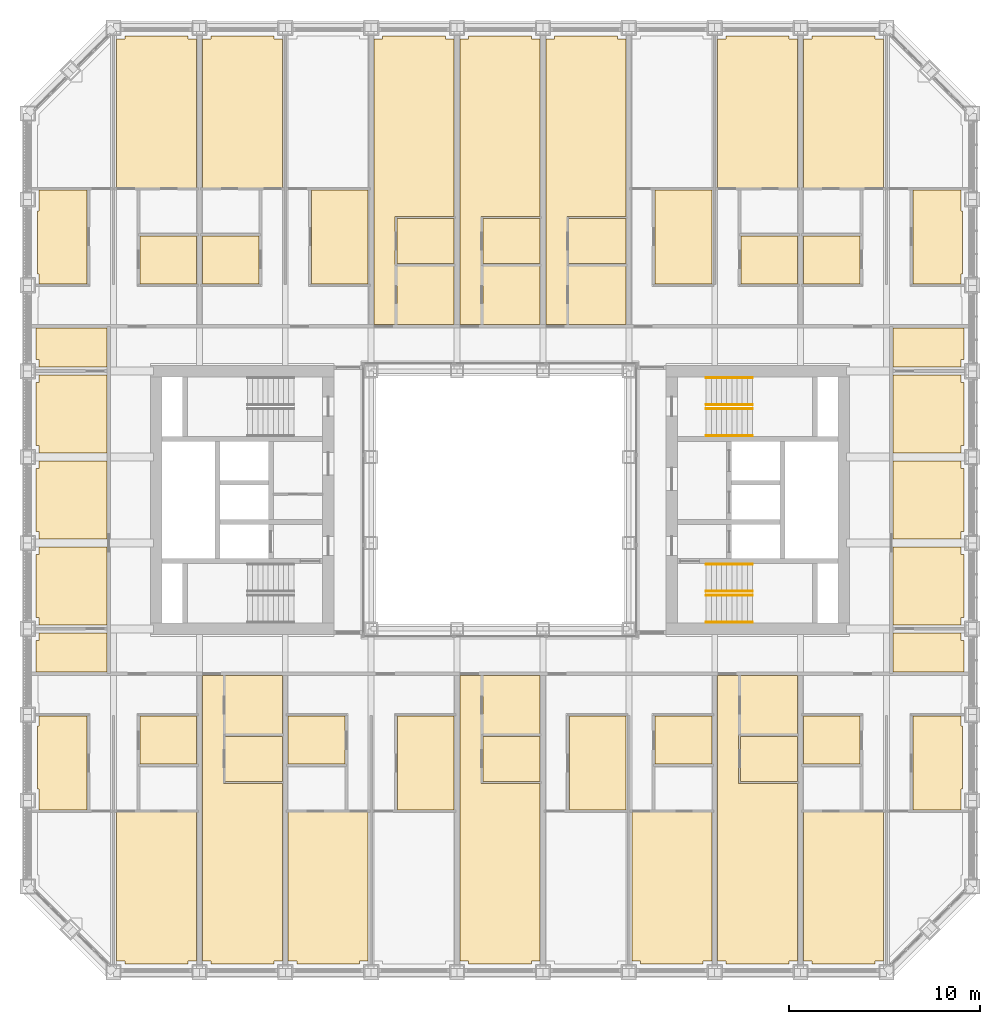
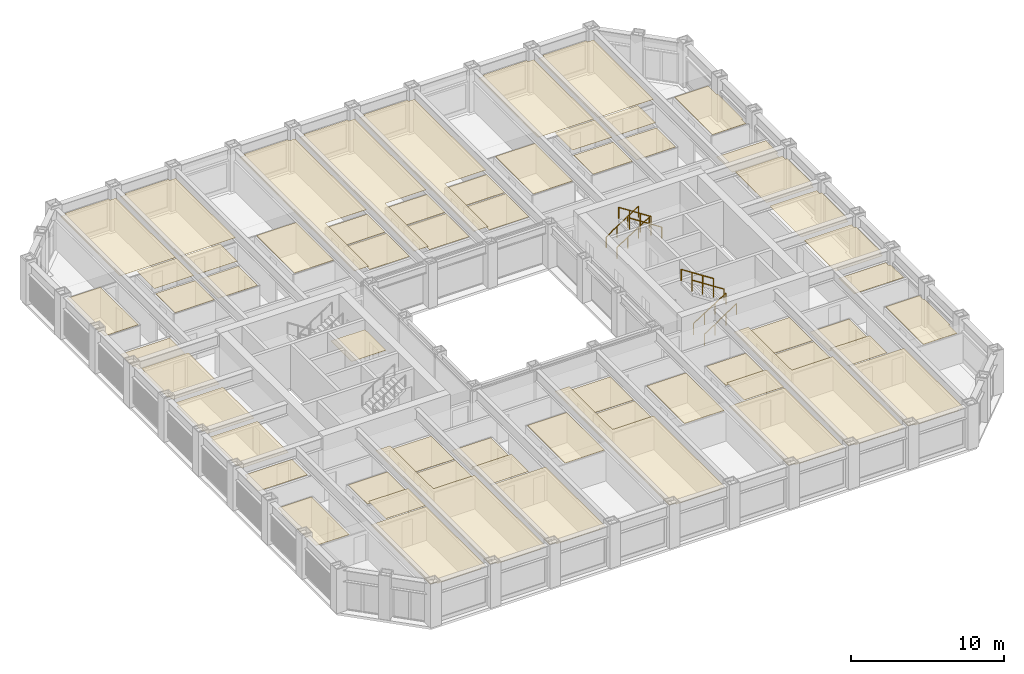
# One storey, part 20 of 21: 8 railings, 3 coverings.
"""IFC4 building model written with IfcOpenShell, lengths in metres."""

import ifcopenshell
import ifcopenshell.guid

model = None  # the IFC model being written
_history = None  # IfcOwnerHistory: only IFC2X3 demands one
_inside = {}  # id of a spatial element -> (the spatial element, [elements in it])
_under = {}  # id of a project, library or spatial element -> (it, [spatial elements below it])
_declared = {}  # id of a project -> (the project, [libraries it declares])
_typed = {}  # id of a type object -> (the type object, [elements of that type])
_made_of = {}  # id of a material, layer set ... -> (it, [elements and type objects made of it])


def new_model(schema):
    """Start an empty IFC model of exactly this schema.

    Asked for "IFC4X3", IfcOpenShell would pick the latest addendum, in which some entities
    have other attributes; the version numbers below select the first issue.
    IFC2X3 requires an IfcOwnerHistory on every rooted entity: one is made here for all.
    """
    global model, _history
    if schema == "IFC4X3":
        model = ifcopenshell.file(schema_version=(4, 3, 0, 0))
    else:
        model = ifcopenshell.file(schema=schema)
    _inside.clear()
    _under.clear()
    _declared.clear()
    _typed.clear()
    _made_of.clear()
    _history = None
    if model.schema == "IFC2X3":
        org = make("IfcOrganization", Name="unknown")
        user = make(
            "IfcPersonAndOrganization",
            ThePerson=make("IfcPerson", FamilyName="unknown"),
            TheOrganization=org,
        )
        app = make(
            "IfcApplication",
            ApplicationDeveloper=org,
            Version="unknown",
            ApplicationFullName="unknown",
            ApplicationIdentifier="unknown",
        )
        _history = make(
            "IfcOwnerHistory",
            OwningUser=user,
            OwningApplication=app,
            ChangeAction="ADDED",
            CreationDate=0,
        )
    return model


def make(cls, **values):
    """One entity of the class cls with the attributes given. An attribute that is None is left unset."""
    return model.create_entity(
        cls, **{name: value for name, value in values.items() if value is not None}
    )


def rooted(cls, **values):
    """An entity with a GlobalId (a new one), such as an element, a storey or a relation."""
    return make(cls, GlobalId=ifcopenshell.guid.new(), OwnerHistory=_history, **values)


def si_unit(unit_type, name, prefix=None):
    """IfcSIUnit, for example si_unit("LENGTHUNIT", "METRE", prefix="MILLI")."""
    return make("IfcSIUnit", UnitType=unit_type, Prefix=prefix, Name=name)


def assignment(units):
    """IfcUnitAssignment: the units of a project."""
    return None if units is None else make("IfcUnitAssignment", Units=units)


def point(xyz):
    """IfcCartesianPoint."""
    return None if xyz is None else make("IfcCartesianPoint", Coordinates=xyz)


def direction(xyz):
    """IfcDirection."""
    return None if xyz is None else make("IfcDirection", DirectionRatios=xyz)


def frame(location, z_axis=None, x_axis=None):
    """IfcAxis2Placement3D, a coordinate frame: its origin and axes. An axis left out is left unset."""
    return make(
        "IfcAxis2Placement3D",
        Location=point(location),
        Axis=direction(z_axis),
        RefDirection=direction(x_axis),
    )


def frame_2d(location, x_axis=None):
    """IfcAxis2Placement2D, a coordinate frame in the plane: its origin and x axis."""
    return make(
        "IfcAxis2Placement2D", Location=point(location), RefDirection=direction(x_axis)
    )


def origin():
    """The frame at (0, 0, 0) with its axes left unset."""
    return frame((0.0, 0.0, 0.0))


def origin_2d():
    """The frame at (0, 0) in the plane with its x axis left unset."""
    return frame_2d((0.0, 0.0))


def place(relative_to, where):
    """IfcLocalPlacement: puts the frame where relative to a parent placement (None: the world)."""
    return make(
        "IfcLocalPlacement", PlacementRelTo=relative_to, RelativePlacement=where
    )


def context(
    kind, dimensions, precision=None, world=None, true_north=None, identifier=None
):
    """IfcGeometricRepresentationContext, for example the 3D "Model" context."""
    return make(
        "IfcGeometricRepresentationContext",
        ContextIdentifier=identifier,
        ContextType=kind,
        CoordinateSpaceDimension=dimensions,
        Precision=precision,
        WorldCoordinateSystem=world,
        TrueNorth=true_north,
    )


def subcontext(parent, identifier, kind, view, scale=None):
    """IfcGeometricRepresentationSubContext, for example "Body" below "Model"."""
    return make(
        "IfcGeometricRepresentationSubContext",
        ContextIdentifier=identifier,
        ContextType=kind,
        ParentContext=parent,
        TargetScale=scale,
        TargetView=view,
    )


def project(units=None, contexts=None):
    """IfcProject with its units and contexts."""
    return rooted(
        "IfcProject",
        Name="project",
        RepresentationContexts=contexts,
        UnitsInContext=assignment(units),
    )


def spatial(cls, under=None, at=None, **own):
    """A site, building, storey or space (cls), placed at a placement, below another one or the project."""
    s = rooted(cls, ObjectPlacement=at, **own)
    if under is not None:
        _under.setdefault(under.id(), (under, []))[1].append(s)
    return s


def point_list(points):
    """IfcCartesianPointList2D or 3D."""
    cls = (
        "IfcCartesianPointList2D" if len(points[0]) == 2 else "IfcCartesianPointList3D"
    )
    return make(cls, CoordList=points)


def line(*indices):
    """IfcLineIndex: a straight run through numbered points of an indexed curve."""
    return model.create_entity("IfcLineIndex", indices)


def indexed_curve(points, segments=None, self_intersect=None):
    """IfcIndexedPolyCurve: lines and arcs through numbered points (the first is 1)."""
    return make(
        "IfcIndexedPolyCurve",
        Points=point_list(points),
        Segments=segments,
        SelfIntersect=self_intersect,
    )


def profile(cls, at=None, kind="AREA", **sizes):
    """A parametric profile (cls). Its sizes go by their IFC names, for example OverallWidth=200.0."""
    return make(cls, ProfileType=kind, Position=at, **sizes)


def circle(**sizes):
    """IfcCircleProfileDef."""
    return profile("IfcCircleProfileDef", **sizes)


def outline(outer, holes=None, kind="AREA"):
    """IfcArbitraryClosedProfileDef: a profile drawn as a closed curve; with holes, ...WithVoids."""
    if holes is None:
        return make("IfcArbitraryClosedProfileDef", ProfileType=kind, OuterCurve=outer)
    return make(
        "IfcArbitraryProfileDefWithVoids",
        ProfileType=kind,
        OuterCurve=outer,
        InnerCurves=holes,
    )


def extrude(swept, where, along, depth):
    """IfcExtrudedAreaSolid: the profile swept, set in the frame where, extruded along a direction by depth."""
    return make(
        "IfcExtrudedAreaSolid",
        SweptArea=swept,
        Position=where,
        ExtrudedDirection=direction(along),
        Depth=depth,
    )


def shape(context_of_items, identifier, shape_type, items):
    """IfcShapeRepresentation: the items that make up one representation, for example the "Body"."""
    return make(
        "IfcShapeRepresentation",
        ContextOfItems=context_of_items,
        RepresentationIdentifier=identifier,
        RepresentationType=shape_type,
        Items=items,
    )


def material(Name=None, Category=None):
    """IfcMaterial."""
    return make("IfcMaterial", Name=Name, Category=Category)


def layer(
    of_material, thickness, ventilated=None, Name=None, Category=None, Priority=None
):
    """IfcMaterialLayer: one layer of a wall or slab, of a material (None: an air gap)."""
    return make(
        "IfcMaterialLayer",
        Material=of_material,
        LayerThickness=thickness,
        IsVentilated=ventilated,
        Name=Name,
        Category=Category,
        Priority=Priority,
    )


def layer_set(layers, Name=None):
    """IfcMaterialLayerSet."""
    return make("IfcMaterialLayerSet", MaterialLayers=layers, LayerSetName=Name)


def made_of(thing, what):
    """Note that an element or type object is made of a material, layer set ...; save() writes the relation."""
    if what is not None:
        _made_of.setdefault(what.id(), (what, []))[1].append(thing)
    return thing


def type_object(cls, material=None, **own):
    """A type object (cls), such as IfcWallType, which elements share."""
    return made_of(rooted(cls, **own), material)


def element(
    cls,
    number,
    at=None,
    inside=None,
    cuts=None,
    type_object=None,
    material=None,
    context=None,
    identifier="Body",
    shape_type=None,
    held_by="IfcProductDefinitionShape",
    body=None,
    shapes=None,
    **own,
):
    """One element of the class cls, such as IfcWall. Its Tag is "e" and its number.

    at: its placement. inside: the storey or other place that contains it. cuts: it is an
    opening in that element (IfcRelVoidsElement). A single representation is given by context,
    identifier, shape_type and body (its items); several are given by shapes. held_by: the class
    of the entity that holds the representations. save() writes the other relations.
    """
    e = rooted(cls, Tag="e%d" % number, ObjectPlacement=at, **own)
    if body is not None:
        shapes = [shape(context, identifier, shape_type, body)]
    if shapes is not None:
        e.Representation = make(held_by, Representations=shapes)
    if inside is not None:
        _inside.setdefault(inside.id(), (inside, []))[1].append(e)
    if cuts is not None:
        rooted(
            "IfcRelVoidsElement", RelatingBuildingElement=cuts, RelatedOpeningElement=e
        )
    if type_object is not None:
        _typed.setdefault(type_object.id(), (type_object, []))[1].append(e)
    return made_of(e, material)


def aggregate(whole, parts):
    """IfcRelAggregates: a whole, such as a stair, and the parts it consists of."""
    return rooted("IfcRelAggregates", RelatingObject=whole, RelatedObjects=parts)


def save(model, path):
    """Write the relations noted so far, then the file.

    IfcRelAggregates (storeys below a building ...), IfcRelContainedInSpatialStructure (elements
    in a storey), IfcRelDefinesByType, IfcRelAssociatesMaterial and IfcRelDeclares: one each for
    every whole, place, type object, material and project.
    """
    for whole, parts in _under.values():
        aggregate(whole, parts)
    for where, things in _inside.values():
        rooted(
            "IfcRelContainedInSpatialStructure",
            RelatedElements=things,
            RelatingStructure=where,
        )
    for kind, things in _typed.values():
        rooted("IfcRelDefinesByType", RelatedObjects=things, RelatingType=kind)
    for what, things in _made_of.values():
        rooted("IfcRelAssociatesMaterial", RelatedObjects=things, RelatingMaterial=what)
    for by, libraries in _declared.values():
        rooted("IfcRelDeclares", RelatingContext=by, RelatedDefinitions=libraries)
    model.write(path)


model = new_model("IFC4")

# Units and contexts
model_context = context("Model", 3, precision=1e-05, world=origin(), true_north=direction((0.0, 1.0)))
body_context = subcontext(model_context, "Body", "Model", "MODEL_VIEW")
ifc_project = project(units=[si_unit("LENGTHUNIT", "METRE"), si_unit("AREAUNIT", "SQUARE_METRE"), si_unit("VOLUMEUNIT", "CUBIC_METRE"), si_unit("PLANEANGLEUNIT", "RADIAN"), si_unit("MASSUNIT", "GRAM", prefix="KILO")], contexts=[model_context])

# Site, building, storey
site_placement = place(None, origin())
site = spatial("IfcSite", under=ifc_project, at=site_placement, CompositionType="ELEMENT")
building_placement = place(site_placement, origin())
building = spatial("IfcBuilding", under=site, at=building_placement, Name="Msasa Ring Tower", CompositionType="ELEMENT")
storey_placement = place(building_placement, frame((0.0, 0.0, 37.0)))
storey = spatial("IfcBuildingStorey", under=building, at=storey_placement, Name="L08", CompositionType="ELEMENT", Elevation=37.0)

# Coverings
ifc_material_1 = material(Name="Gypsum plasterboard on a steel suspension grid", Category="steel")
ifc_layer_1 = layer(ifc_material_1, 0.014892578125)
ifc_layer_set_1 = layer_set([ifc_layer_1], Name="C1 SUSPENDED PLASTERBOARD CEILING 15")
covering_type_1 = type_object("IfcCoveringType", Name="C1 SUSPENDED PLASTERBOARD CEILING 15", PredefinedType="CEILING", material=ifc_layer_set_1)
covering_1_placement = place(storey_placement, frame((0.0, 0.0, 2.699951171875)))
element("IfcCovering", 1, at=covering_1_placement, inside=storey, type_object=covering_type_1, Name="Suspended Plasterboard Ceiling 15 L08", PredefinedType="CEILING", context=body_context, shape_type="SweptSolid", body=[
    extrude(outline(indexed_curve([(-24.299560546875, -2.8505859375), (-24.1494140625, -2.8505859375), (-24.1494140625, -2.460693359375), (-20.6005859375, -2.460693359375), (-20.6005859375, -6.539306640625), (-24.1494140625, -6.539306640625), (-24.1494140625, -6.1494140625), (-24.299560546875, -6.1494140625)], segments=[line(1, 2, 3, 4, 5, 6, 7, 8, 1)], self_intersect=False)), origin(), (0.0, 0.0, 1.0), 0.01513671875),
    extrude(outline(indexed_curve([(-24.299560546875, 1.6494140625), (-24.1494140625, 1.6494140625), (-24.1494140625, 2.039306640625), (-20.6005859375, 2.039306640625), (-20.6005859375, -2.039306640625), (-24.1494140625, -2.039306640625), (-24.1494140625, -1.6494140625), (-24.299560546875, -1.6494140625)], segments=[line(1, 2, 3, 4, 5, 6, 7, 8, 1)], self_intersect=False)), origin(), (0.0, 0.0, 1.0), 0.01513671875),
    extrude(outline(indexed_curve([(-24.299560546875, 6.1494140625), (-24.1494140625, 6.1494140625), (-24.1494140625, 6.539306640625), (-20.6005859375, 6.539306640625), (-20.6005859375, 2.460693359375), (-24.1494140625, 2.460693359375), (-24.1494140625, 2.8505859375), (-24.299560546875, 2.8505859375)], segments=[line(1, 2, 3, 4, 5, 6, 7, 8, 1)], self_intersect=False)), origin(), (0.0, 0.0, 1.0), 0.01513671875),
    extrude(outline(indexed_curve([(-15.904296875, -16.35546875), (-15.904296875, -24.1494140625), (-16.3505859375, -24.1494140625), (-16.3505859375, -24.299560546875), (-19.6494140625, -24.299560546875), (-19.6494140625, -24.1494140625), (-20.095703125, -24.1494140625), (-20.095703125, -16.35546875)], segments=[line(1, 2, 3, 4, 5, 6, 7, 8, 1)], self_intersect=False)), origin(), (0.0, 0.0, 1.0), 0.01513671875),
    extrude(outline(indexed_curve([(-20.095703125, 16.35546875), (-20.095703125, 24.1494140625), (-19.6494140625, 24.1494140625), (-19.6494140625, 24.299560546875), (-16.3505859375, 24.299560546875), (-16.3505859375, 24.1494140625), (-15.904296875, 24.1494140625), (-15.904296875, 16.35546875)], segments=[line(1, 2, 3, 4, 5, 6, 7, 8, 1)], self_intersect=False)), origin(), (0.0, 0.0, 1.0), 0.01513671875),
    extrude(outline(indexed_curve([(-18.869384765625, -13.98046875), (-15.904296875, -13.98046875), (-15.904296875, -16.244384765625), (-18.869384765625, -16.244384765625)], segments=[line(1, 2, 3, 4, 1)], self_intersect=False)), origin(), (0.0, 0.0, 1.0), 0.01513671875),
    extrude(outline(indexed_curve([(-15.904296875, 16.244384765625), (-15.904296875, 13.98046875), (-18.869384765625, 13.98046875), (-18.869384765625, 16.244384765625)], segments=[line(1, 2, 3, 4, 1)], self_intersect=False)), origin(), (0.0, 0.0, 1.0), 0.01513671875),
    extrude(outline(indexed_curve([(-14.50048828125, -9.200439453125), (-14.50048828125, -14.8505859375), (-11.404296875, -14.8505859375), (-11.404296875, -24.1494140625), (-11.8505859375, -24.1494140625), (-11.8505859375, -24.299560546875), (-15.1494140625, -24.299560546875), (-15.1494140625, -24.1494140625), (-15.595703125, -24.1494140625), (-15.595703125, -9.200439453125)], segments=[line(1, 2, 3, 4, 5, 6, 7, 8, 9, 10, 1)], self_intersect=False)), origin(), (0.0, 0.0, 1.0), 0.01513671875),
    extrude(outline(indexed_curve([(-12.630615234375, 16.244384765625), (-12.630615234375, 13.98046875), (-15.595703125, 13.98046875), (-15.595703125, 16.244384765625)], segments=[line(1, 2, 3, 4, 1)], self_intersect=False)), origin(), (0.0, 0.0, 1.0), 0.01513671875),
    extrude(outline(indexed_curve([(-15.595703125, 16.35546875), (-15.595703125, 24.1494140625), (-15.1494140625, 24.1494140625), (-15.1494140625, 24.299560546875), (-11.8505859375, 24.299560546875), (-11.8505859375, 24.1494140625), (-11.404296875, 24.1494140625), (-11.404296875, 16.35546875)], segments=[line(1, 2, 3, 4, 5, 6, 7, 8, 1)], self_intersect=False)), origin(), (0.0, 0.0, 1.0), 0.01513671875),
    extrude(outline(indexed_curve([(-11.87451171875, 3.074462890625), (-9.300537109375, 3.074462890625), (-9.300537109375, 0.35546875), (-11.87451171875, 0.35546875)], segments=[line(1, 2, 3, 4, 1)], self_intersect=False)), origin(), (0.0, 0.0, 1.0), 0.01513671875),
    extrude(outline(indexed_curve([(-10.6494140625, -24.299560546875), (-10.6494140625, -24.1494140625), (-11.095703125, -24.1494140625), (-11.095703125, -16.35546875), (-6.904296875, -16.35546875), (-6.904296875, -24.1494140625), (-7.3505859375, -24.1494140625), (-7.3505859375, -24.299560546875)], segments=[line(1, 2, 3, 4, 5, 6, 7, 8, 1)], self_intersect=False)), origin(), (0.0, 0.0, 1.0), 0.01513671875),
    extrude(outline(indexed_curve([(-8.130615234375, -13.98046875), (-8.130615234375, -16.244384765625), (-11.095703125, -16.244384765625), (-11.095703125, -13.98046875)], segments=[line(1, 2, 3, 4, 1)], self_intersect=False)), origin(), (0.0, 0.0, 1.0), 0.01513671875),
    extrude(outline(indexed_curve([(-6.595703125, 9.200439453125), (-6.595703125, 24.1494140625), (-6.1494140625, 24.1494140625), (-6.1494140625, 24.299560546875), (-2.8505859375, 24.299560546875), (-2.8505859375, 24.1494140625), (-2.404296875, 24.1494140625), (-2.404296875, 14.8505859375), (-5.50048828125, 14.8505859375), (-5.50048828125, 9.200439453125)], segments=[line(1, 2, 3, 4, 5, 6, 7, 8, 9, 10, 1)], self_intersect=False)), origin(), (0.0, 0.0, 1.0), 0.01513671875),
    extrude(outline(indexed_curve([(-1.6494140625, -24.299560546875), (-1.6494140625, -24.1494140625), (-2.095703125, -24.1494140625), (-2.095703125, -9.200439453125), (-1.00048828125, -9.200439453125), (-1.00048828125, -14.8505859375), (2.095703125, -14.8505859375), (2.095703125, -24.1494140625), (1.6494140625, -24.1494140625), (1.6494140625, -24.299560546875)], segments=[line(1, 2, 3, 4, 5, 6, 7, 8, 9, 10, 1)], self_intersect=False)), origin(), (0.0, 0.0, 1.0), 0.01513671875),
    extrude(outline(indexed_curve([(1.6494140625, 24.299560546875), (1.6494140625, 24.1494140625), (2.095703125, 24.1494140625), (2.095703125, 14.8505859375), (-1.00048828125, 14.8505859375), (-1.00048828125, 9.200439453125), (-2.095703125, 9.200439453125), (-2.095703125, 24.1494140625), (-1.6494140625, 24.1494140625), (-1.6494140625, 24.299560546875)], segments=[line(1, 2, 3, 4, 5, 6, 7, 8, 9, 10, 1)], self_intersect=False)), origin(), (0.0, 0.0, 1.0), 0.01513671875),
    extrude(outline(indexed_curve([(6.1494140625, 24.299560546875), (6.1494140625, 24.1494140625), (6.595703125, 24.1494140625), (6.595703125, 14.8505859375), (3.49951171875, 14.8505859375), (3.49951171875, 9.200439453125), (2.404296875, 9.200439453125), (2.404296875, 24.1494140625), (2.8505859375, 24.1494140625), (2.8505859375, 24.299560546875)], segments=[line(1, 2, 3, 4, 5, 6, 7, 8, 9, 10, 1)], self_intersect=False)), origin(), (0.0, 0.0, 1.0), 0.01513671875),
    extrude(outline(indexed_curve([(7.3505859375, -24.299560546875), (7.3505859375, -24.1494140625), (6.904296875, -24.1494140625), (6.904296875, -16.35546875), (11.095703125, -16.35546875), (11.095703125, -24.1494140625), (10.6494140625, -24.1494140625), (10.6494140625, -24.299560546875)], segments=[line(1, 2, 3, 4, 5, 6, 7, 8, 1)], self_intersect=False)), origin(), (0.0, 0.0, 1.0), 0.01513671875),
    extrude(outline(indexed_curve([(11.095703125, -13.98046875), (11.095703125, -16.244384765625), (8.130615234375, -16.244384765625), (8.130615234375, -13.98046875)], segments=[line(1, 2, 3, 4, 1)], self_intersect=False)), origin(), (0.0, 0.0, 1.0), 0.01513671875),
    extrude(outline(indexed_curve([(12.49951171875, -9.200439453125), (12.49951171875, -14.8505859375), (15.595703125, -14.8505859375), (15.595703125, -24.1494140625), (15.1494140625, -24.1494140625), (15.1494140625, -24.299560546875), (11.8505859375, -24.299560546875), (11.8505859375, -24.1494140625), (11.404296875, -24.1494140625), (11.404296875, -9.200439453125)], segments=[line(1, 2, 3, 4, 5, 6, 7, 8, 9, 10, 1)], self_intersect=False)), origin(), (0.0, 0.0, 1.0), 0.01513671875),
    extrude(outline(indexed_curve([(15.1494140625, 24.299560546875), (15.1494140625, 24.1494140625), (15.595703125, 24.1494140625), (15.595703125, 16.35546875), (11.404296875, 16.35546875), (11.404296875, 24.1494140625), (11.8505859375, 24.1494140625), (11.8505859375, 24.299560546875)], segments=[line(1, 2, 3, 4, 5, 6, 7, 8, 1)], self_intersect=False)), origin(), (0.0, 0.0, 1.0), 0.01513671875),
    extrude(outline(indexed_curve([(15.595703125, 16.244384765625), (15.595703125, 13.98046875), (12.630615234375, 13.98046875), (12.630615234375, 16.244384765625)], segments=[line(1, 2, 3, 4, 1)], self_intersect=False)), origin(), (0.0, 0.0, 1.0), 0.01513671875),
    extrude(outline(indexed_curve([(20.095703125, -16.35546875), (20.095703125, -24.1494140625), (19.6494140625, -24.1494140625), (19.6494140625, -24.299560546875), (16.3505859375, -24.299560546875), (16.3505859375, -24.1494140625), (15.904296875, -24.1494140625), (15.904296875, -16.35546875)], segments=[line(1, 2, 3, 4, 5, 6, 7, 8, 1)], self_intersect=False)), origin(), (0.0, 0.0, 1.0), 0.01513671875),
    extrude(outline(indexed_curve([(18.869384765625, -13.98046875), (18.869384765625, -16.244384765625), (15.904296875, -16.244384765625), (15.904296875, -13.98046875)], segments=[line(1, 2, 3, 4, 1)], self_intersect=False)), origin(), (0.0, 0.0, 1.0), 0.01513671875),
    extrude(outline(indexed_curve([(18.869384765625, 16.244384765625), (18.869384765625, 13.98046875), (15.904296875, 13.98046875), (15.904296875, 16.244384765625)], segments=[line(1, 2, 3, 4, 1)], self_intersect=False)), origin(), (0.0, 0.0, 1.0), 0.01513671875),
    extrude(outline(indexed_curve([(15.904296875, 16.35546875), (15.904296875, 24.1494140625), (16.3505859375, 24.1494140625), (16.3505859375, 24.299560546875), (19.6494140625, 24.299560546875), (19.6494140625, 24.1494140625), (20.095703125, 24.1494140625), (20.095703125, 16.35546875)], segments=[line(1, 2, 3, 4, 5, 6, 7, 8, 1)], self_intersect=False)), origin(), (0.0, 0.0, 1.0), 0.01513671875),
    extrude(outline(indexed_curve([(20.6005859375, -2.460693359375), (24.1494140625, -2.460693359375), (24.1494140625, -2.8505859375), (24.299560546875, -2.8505859375), (24.299560546875, -6.1494140625), (24.1494140625, -6.1494140625), (24.1494140625, -6.539306640625), (20.6005859375, -6.539306640625)], segments=[line(1, 2, 3, 4, 5, 6, 7, 8, 1)], self_intersect=False)), origin(), (0.0, 0.0, 1.0), 0.01513671875),
    extrude(outline(indexed_curve([(20.6005859375, 2.039306640625), (24.1494140625, 2.039306640625), (24.1494140625, 1.6494140625), (24.299560546875, 1.6494140625), (24.299560546875, -1.6494140625), (24.1494140625, -1.6494140625), (24.1494140625, -2.039306640625), (20.6005859375, -2.039306640625)], segments=[line(1, 2, 3, 4, 5, 6, 7, 8, 1)], self_intersect=False)), origin(), (0.0, 0.0, 1.0), 0.01513671875),
    extrude(outline(indexed_curve([(20.6005859375, 6.539306640625), (24.1494140625, 6.539306640625), (24.1494140625, 6.1494140625), (24.299560546875, 6.1494140625), (24.299560546875, 2.8505859375), (24.1494140625, 2.8505859375), (24.1494140625, 2.460693359375), (20.6005859375, 2.460693359375)], segments=[line(1, 2, 3, 4, 5, 6, 7, 8, 1)], self_intersect=False)), origin(), (0.0, 0.0, 1.0), 0.01513671875),
])
ifc_material_2 = material(Name="Moisture-resistant gypsum plasterboard on a steel suspension grid", Category="steel")
ifc_layer_2 = layer(ifc_material_2, 0.014892578125)
ifc_layer_set_2 = layer_set([ifc_layer_2], Name="C2 MOISTURE-RESISTANT PLASTERBOARD CEILING 15")
covering_type_2 = type_object("IfcCoveringType", Name="C2 MOISTURE-RESISTANT PLASTERBOARD CEILING 15", PredefinedType="CEILING", material=ifc_layer_set_2)
covering_2_placement = place(storey_placement, frame((0.0, 0.0, 2.39990234375)))
element("IfcCovering", 2, at=covering_2_placement, inside=storey, type_object=covering_type_2, Name="Moisture-Resistant Plasterboard Ceiling 15 L08", PredefinedType="CEILING", context=body_context, shape_type="SweptSolid", body=[
    extrude(outline(indexed_curve([(-20.6005859375, 6.960693359375), (-24.1494140625, 6.960693359375), (-24.1494140625, 7.3505859375), (-24.299560546875, 7.3505859375), (-24.299560546875, 8.99951171875), (-20.6005859375, 8.99951171875)], segments=[line(1, 2, 3, 4, 5, 6, 1)], self_intersect=False)), origin(), (0.0, 0.0, 1.0), 0.01513671875),
    extrude(outline(indexed_curve([(-18.869384765625, -11.305419921875), (-15.904296875, -11.305419921875), (-15.904296875, -13.819580078125), (-18.869384765625, -13.819580078125)], segments=[line(1, 2, 3, 4, 1)], self_intersect=False)), origin(), (0.0, 0.0, 1.0), 0.01513671875),
    extrude(outline(indexed_curve([(-18.869384765625, 13.819580078125), (-15.904296875, 13.819580078125), (-15.904296875, 11.305419921875), (-18.869384765625, 11.305419921875)], segments=[line(1, 2, 3, 4, 1)], self_intersect=False)), origin(), (0.0, 0.0, 1.0), 0.01513671875),
    extrude(outline(indexed_curve([(-12.630615234375, 13.819580078125), (-12.630615234375, 11.305419921875), (-15.595703125, 11.305419921875), (-15.595703125, 13.819580078125)], segments=[line(1, 2, 3, 4, 1)], self_intersect=False)), origin(), (0.0, 0.0, 1.0), 0.01513671875),
    extrude(outline(indexed_curve([(-14.3994140625, -9.200439453125), (-11.404296875, -9.200439453125), (-11.404296875, -12.24951171875), (-14.3994140625, -12.24951171875)], segments=[line(1, 2, 3, 4, 1)], self_intersect=False)), origin(), (0.0, 0.0, 1.0), 0.01513671875),
    extrude(outline(indexed_curve([(-8.130615234375, -11.305419921875), (-8.130615234375, -13.819580078125), (-11.095703125, -13.819580078125), (-11.095703125, -11.305419921875)], segments=[line(1, 2, 3, 4, 1)], self_intersect=False)), origin(), (0.0, 0.0, 1.0), 0.01513671875),
    extrude(outline(indexed_curve([(-5.3994140625, 12.24951171875), (-2.404296875, 12.24951171875), (-2.404296875, 9.200439453125), (-5.3994140625, 9.200439453125)], segments=[line(1, 2, 3, 4, 1)], self_intersect=False)), origin(), (0.0, 0.0, 1.0), 0.01513671875),
    extrude(outline(indexed_curve([(-0.8994140625, -9.200439453125), (2.095703125, -9.200439453125), (2.095703125, -12.24951171875), (-0.8994140625, -12.24951171875)], segments=[line(1, 2, 3, 4, 1)], self_intersect=False)), origin(), (0.0, 0.0, 1.0), 0.01513671875),
    extrude(outline(indexed_curve([(-0.8994140625, 12.24951171875), (2.095703125, 12.24951171875), (2.095703125, 9.200439453125), (-0.8994140625, 9.200439453125)], segments=[line(1, 2, 3, 4, 1)], self_intersect=False)), origin(), (0.0, 0.0, 1.0), 0.01513671875),
    extrude(outline(indexed_curve([(3.6005859375, 12.24951171875), (6.595703125, 12.24951171875), (6.595703125, 9.200439453125), (3.6005859375, 9.200439453125)], segments=[line(1, 2, 3, 4, 1)], self_intersect=False)), origin(), (0.0, 0.0, 1.0), 0.01513671875),
    extrude(outline(indexed_curve([(8.130615234375, -11.305419921875), (11.095703125, -11.305419921875), (11.095703125, -13.819580078125), (8.130615234375, -13.819580078125)], segments=[line(1, 2, 3, 4, 1)], self_intersect=False)), origin(), (0.0, 0.0, 1.0), 0.01513671875),
    extrude(outline(indexed_curve([(12.6005859375, -9.200439453125), (15.595703125, -9.200439453125), (15.595703125, -12.24951171875), (12.6005859375, -12.24951171875)], segments=[line(1, 2, 3, 4, 1)], self_intersect=False)), origin(), (0.0, 0.0, 1.0), 0.01513671875),
    extrude(outline(indexed_curve([(12.630615234375, 13.819580078125), (15.595703125, 13.819580078125), (15.595703125, 11.305419921875), (12.630615234375, 11.305419921875)], segments=[line(1, 2, 3, 4, 1)], self_intersect=False)), origin(), (0.0, 0.0, 1.0), 0.01513671875),
    extrude(outline(indexed_curve([(18.869384765625, -11.305419921875), (18.869384765625, -13.819580078125), (15.904296875, -13.819580078125), (15.904296875, -11.305419921875)], segments=[line(1, 2, 3, 4, 1)], self_intersect=False)), origin(), (0.0, 0.0, 1.0), 0.01513671875),
    extrude(outline(indexed_curve([(18.869384765625, 13.819580078125), (18.869384765625, 11.305419921875), (15.904296875, 11.305419921875), (15.904296875, 13.819580078125)], segments=[line(1, 2, 3, 4, 1)], self_intersect=False)), origin(), (0.0, 0.0, 1.0), 0.01513671875),
    extrude(outline(indexed_curve([(20.6005859375, 8.99951171875), (24.299560546875, 8.99951171875), (24.299560546875, 7.3505859375), (24.1494140625, 7.3505859375), (24.1494140625, 6.960693359375), (20.6005859375, 6.960693359375)], segments=[line(1, 2, 3, 4, 5, 6, 1)], self_intersect=False)), origin(), (0.0, 0.0, 1.0), 0.01513671875),
])
ifc_material_3 = material(Name="Perforated aluminium ceiling pans on a steel grid", Category="steel")
ifc_layer_3 = layer(ifc_material_3, 0.02490234375)
ifc_layer_set_3 = layer_set([ifc_layer_3], Name="C4 PERFORATED METAL PAN CEILING 25")
covering_type_3 = type_object("IfcCoveringType", Name="C4 PERFORATED METAL PAN CEILING 25", PredefinedType="CEILING", material=ifc_layer_set_3)
covering_3_placement = place(storey_placement, frame((0.0, 0.0, 2.39990234375)))
element("IfcCovering", 3, at=covering_3_placement, inside=storey, type_object=covering_type_3, Name="Perforated Metal Pan Ceiling 25 L08", PredefinedType="CEILING", context=body_context, shape_type="SweptSolid", body=[
    extrude(outline(indexed_curve([(-20.6005859375, -8.99951171875), (-24.299560546875, -8.99951171875), (-24.299560546875, -7.3505859375), (-24.1494140625, -7.3505859375), (-24.1494140625, -6.960693359375), (-20.6005859375, -6.960693359375)], segments=[line(1, 2, 3, 4, 5, 6, 1)], self_intersect=False)), origin(), (0.0, 0.0, 1.0), 0.025146484375),
    extrude(outline(indexed_curve([(-24.239501953125, -11.8505859375), (-24.1494140625, -11.8505859375), (-24.1494140625, -11.305419921875), (-21.630615234375, -11.305419921875), (-21.630615234375, -16.244384765625), (-24.1494140625, -16.244384765625), (-24.1494140625, -15.1494140625), (-24.239501953125, -15.1494140625)], segments=[line(1, 2, 3, 4, 5, 6, 7, 8, 1)], self_intersect=False)), origin(), (0.0, 0.0, 1.0), 0.025146484375),
    extrude(outline(indexed_curve([(-24.239501953125, 15.1494140625), (-24.1494140625, 15.1494140625), (-24.1494140625, 16.244384765625), (-21.630615234375, 16.244384765625), (-21.630615234375, 11.305419921875), (-24.1494140625, 11.305419921875), (-24.1494140625, 11.8505859375), (-24.239501953125, 11.8505859375)], segments=[line(1, 2, 3, 4, 5, 6, 7, 8, 1)], self_intersect=False)), origin(), (0.0, 0.0, 1.0), 0.025146484375),
    extrude(outline(indexed_curve([(-14.3994140625, -12.380615234375), (-11.404296875, -12.380615234375), (-11.404296875, -14.744384765625), (-14.3994140625, -14.744384765625)], segments=[line(1, 2, 3, 4, 1)], self_intersect=False)), origin(), (0.0, 0.0, 1.0), 0.025146484375),
    extrude(outline(indexed_curve([(-9.869384765625, 16.244384765625), (-6.904296875, 16.244384765625), (-6.904296875, 11.305419921875), (-9.869384765625, 11.305419921875)], segments=[line(1, 2, 3, 4, 1)], self_intersect=False)), origin(), (0.0, 0.0, 1.0), 0.025146484375),
    extrude(outline(indexed_curve([(-5.3994140625, 14.744384765625), (-2.404296875, 14.744384765625), (-2.404296875, 12.380615234375), (-5.3994140625, 12.380615234375)], segments=[line(1, 2, 3, 4, 1)], self_intersect=False)), origin(), (0.0, 0.0, 1.0), 0.025146484375),
    extrude(outline(indexed_curve([(-5.369384765625, -11.305419921875), (-2.404296875, -11.305419921875), (-2.404296875, -16.244384765625), (-5.369384765625, -16.244384765625)], segments=[line(1, 2, 3, 4, 1)], self_intersect=False)), origin(), (0.0, 0.0, 1.0), 0.025146484375),
    extrude(outline(indexed_curve([(-0.8994140625, -12.380615234375), (2.095703125, -12.380615234375), (2.095703125, -14.744384765625), (-0.8994140625, -14.744384765625)], segments=[line(1, 2, 3, 4, 1)], self_intersect=False)), origin(), (0.0, 0.0, 1.0), 0.025146484375),
    extrude(outline(indexed_curve([(-0.8994140625, 14.744384765625), (2.095703125, 14.744384765625), (2.095703125, 12.380615234375), (-0.8994140625, 12.380615234375)], segments=[line(1, 2, 3, 4, 1)], self_intersect=False)), origin(), (0.0, 0.0, 1.0), 0.025146484375),
    extrude(outline(indexed_curve([(3.6005859375, 14.744384765625), (6.595703125, 14.744384765625), (6.595703125, 12.380615234375), (3.6005859375, 12.380615234375)], segments=[line(1, 2, 3, 4, 1)], self_intersect=False)), origin(), (0.0, 0.0, 1.0), 0.025146484375),
    extrude(outline(indexed_curve([(3.630615234375, -11.305419921875), (6.595703125, -11.305419921875), (6.595703125, -16.244384765625), (3.630615234375, -16.244384765625)], segments=[line(1, 2, 3, 4, 1)], self_intersect=False)), origin(), (0.0, 0.0, 1.0), 0.025146484375),
    extrude(outline(indexed_curve([(8.130615234375, 16.244384765625), (11.095703125, 16.244384765625), (11.095703125, 11.305419921875), (8.130615234375, 11.305419921875)], segments=[line(1, 2, 3, 4, 1)], self_intersect=False)), origin(), (0.0, 0.0, 1.0), 0.025146484375),
    extrude(outline(indexed_curve([(12.6005859375, -12.380615234375), (15.595703125, -12.380615234375), (15.595703125, -14.744384765625), (12.6005859375, -14.744384765625)], segments=[line(1, 2, 3, 4, 1)], self_intersect=False)), origin(), (0.0, 0.0, 1.0), 0.025146484375),
    extrude(outline(indexed_curve([(20.6005859375, -8.99951171875), (20.6005859375, -6.960693359375), (24.1494140625, -6.960693359375), (24.1494140625, -7.3505859375), (24.299560546875, -7.3505859375), (24.299560546875, -8.99951171875)], segments=[line(1, 2, 3, 4, 5, 6, 1)], self_intersect=False)), origin(), (0.0, 0.0, 1.0), 0.025146484375),
    extrude(outline(indexed_curve([(21.630615234375, -11.305419921875), (24.1494140625, -11.305419921875), (24.1494140625, -11.8505859375), (24.239501953125, -11.8505859375), (24.239501953125, -15.1494140625), (24.1494140625, -15.1494140625), (24.1494140625, -16.244384765625), (21.630615234375, -16.244384765625)], segments=[line(1, 2, 3, 4, 5, 6, 7, 8, 1)], self_intersect=False)), origin(), (0.0, 0.0, 1.0), 0.025146484375),
    extrude(outline(indexed_curve([(21.630615234375, 16.244384765625), (24.1494140625, 16.244384765625), (24.1494140625, 15.1494140625), (24.239501953125, 15.1494140625), (24.239501953125, 11.8505859375), (24.1494140625, 11.8505859375), (24.1494140625, 11.305419921875), (21.630615234375, 11.305419921875)], segments=[line(1, 2, 3, 4, 5, 6, 7, 8, 1)], self_intersect=False)), origin(), (0.0, 0.0, 1.0), 0.025146484375),
])

# Railings
ifc_material_4 = material(Name="Stainless steel", Category="steel")
railing_type = type_object("IfcRailingType", Name="HR1 HANDRAIL 900", PredefinedType="HANDRAIL", material=ifc_material_4)
for number, where, name in (
    (4, (10.800048828125, -6.39990234375, 0.175048828125), "Handrail stair SEA L08 1"),
    (5, (10.800048828125, -5.0, 0.175048828125), "Handrail stair SEA L08 2"),
):
    element("IfcRailing", number, at=place(storey_placement, frame(where)), inside=storey, type_object=railing_type, Name=name, PredefinedType="HANDRAIL", context=body_context, shape_type="SweptSolid", body=[
        extrude(circle(Radius=0.02392578125, at=origin_2d()), frame((0.0, 0.0, 0.8759765625), z_axis=(0.839153699163, 0.0, 0.543894354798), x_axis=(0.0, 1.0, 0.0)), (0.0, 0.0, 1.0), 2.895751953125),
        extrude(circle(Radius=0.02099609375, at=origin_2d()), origin(), (0.0, 0.0, 1.0), 0.851806640625),
        extrude(circle(Radius=0.02099609375, at=origin_2d()), frame((0.81005859375, 0.0, 0.52490234375)), (0.0, 0.0, 1.0), 0.851806640625),
        extrude(circle(Radius=0.02099609375, at=origin_2d()), frame((1.619873046875, 0.0, 1.050048828125)), (0.0, 0.0, 1.0), 0.851806640625),
        extrude(circle(Radius=0.02099609375, at=origin_2d()), frame((2.429931640625, 0.0, 1.574951171875)), (0.0, 0.0, 1.0), 0.851806640625),
    ])
for number, where, name in (
    (6, (13.22998046875, -4.77490234375, 1.925048828125), "Handrail stair SEA L08 3"),
    (7, (13.22998046875, -3.375, 1.925048828125), "Handrail stair SEA L08 4"),
):
    element("IfcRailing", number, at=place(storey_placement, frame(where)), inside=storey, type_object=railing_type, Name=name, PredefinedType="HANDRAIL", context=body_context, shape_type="SweptSolid", body=[
        extrude(circle(Radius=0.02392578125, at=origin_2d()), frame((0.0, 0.0, 0.8759765625), z_axis=(-0.839153699163, 0.0, 0.543894354798), x_axis=(0.0, -1.0, 0.0)), (0.0, 0.0, 1.0), 2.895751953125),
        extrude(circle(Radius=0.02099609375, at=origin_2d()), origin(), (0.0, 0.0, 1.0), 0.851806640625),
        extrude(circle(Radius=0.02099609375, at=origin_2d()), frame((-0.81005859375, 0.0, 0.52490234375)), (0.0, 0.0, 1.0), 0.851806640625),
        extrude(circle(Radius=0.02099609375, at=origin_2d()), frame((-1.619873046875, 0.0, 1.050048828125)), (0.0, 0.0, 1.0), 0.851806640625),
        extrude(circle(Radius=0.02099609375, at=origin_2d()), frame((-2.429931640625, 0.0, 1.574951171875)), (0.0, 0.0, 1.0), 0.851806640625),
    ])
for number, where, name in (
    (8, (10.800048828125, 5.0, 0.175048828125), "Handrail stair SEB L08 1"),
    (9, (10.800048828125, 6.39990234375, 0.175048828125), "Handrail stair SEB L08 2"),
):
    element("IfcRailing", number, at=place(storey_placement, frame(where)), inside=storey, type_object=railing_type, Name=name, PredefinedType="HANDRAIL", context=body_context, shape_type="SweptSolid", body=[
        extrude(circle(Radius=0.02392578125, at=origin_2d()), frame((0.0, 0.0, 0.8759765625), z_axis=(0.839153699163, 0.0, 0.543894354798), x_axis=(0.0, 1.0, 0.0)), (0.0, 0.0, 1.0), 2.895751953125),
        extrude(circle(Radius=0.02099609375, at=origin_2d()), origin(), (0.0, 0.0, 1.0), 0.851806640625),
        extrude(circle(Radius=0.02099609375, at=origin_2d()), frame((0.81005859375, 0.0, 0.52490234375)), (0.0, 0.0, 1.0), 0.851806640625),
        extrude(circle(Radius=0.02099609375, at=origin_2d()), frame((1.619873046875, 0.0, 1.050048828125)), (0.0, 0.0, 1.0), 0.851806640625),
        extrude(circle(Radius=0.02099609375, at=origin_2d()), frame((2.429931640625, 0.0, 1.574951171875)), (0.0, 0.0, 1.0), 0.851806640625),
    ])
for number, where, name in (
    (10, (13.22998046875, 3.375, 1.925048828125), "Handrail stair SEB L08 3"),
    (11, (13.22998046875, 4.77490234375, 1.925048828125), "Handrail stair SEB L08 4"),
):
    element("IfcRailing", number, at=place(storey_placement, frame(where)), inside=storey, type_object=railing_type, Name=name, PredefinedType="HANDRAIL", context=body_context, shape_type="SweptSolid", body=[
        extrude(circle(Radius=0.02392578125, at=origin_2d()), frame((0.0, 0.0, 0.8759765625), z_axis=(-0.839153699163, 0.0, 0.543894354798), x_axis=(0.0, -1.0, 0.0)), (0.0, 0.0, 1.0), 2.895751953125),
        extrude(circle(Radius=0.02099609375, at=origin_2d()), origin(), (0.0, 0.0, 1.0), 0.851806640625),
        extrude(circle(Radius=0.02099609375, at=origin_2d()), frame((-0.81005859375, 0.0, 0.52490234375)), (0.0, 0.0, 1.0), 0.851806640625),
        extrude(circle(Radius=0.02099609375, at=origin_2d()), frame((-1.619873046875, 0.0, 1.050048828125)), (0.0, 0.0, 1.0), 0.851806640625),
        extrude(circle(Radius=0.02099609375, at=origin_2d()), frame((-2.429931640625, 0.0, 1.574951171875)), (0.0, 0.0, 1.0), 0.851806640625),
    ])

save(model, "model.ifc")
